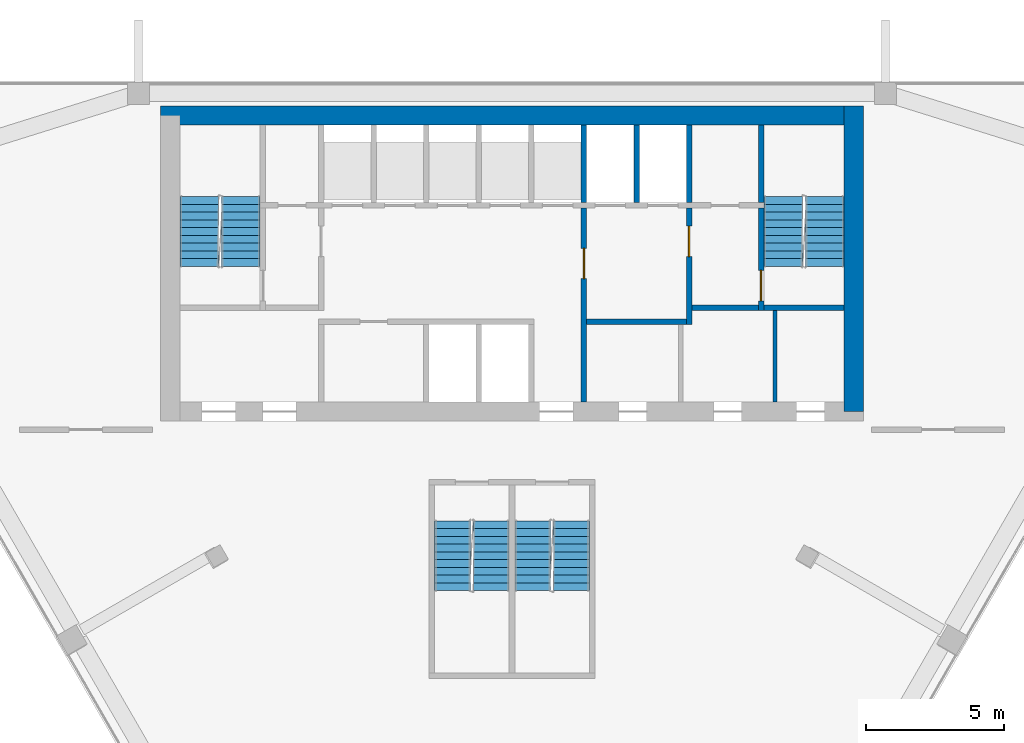
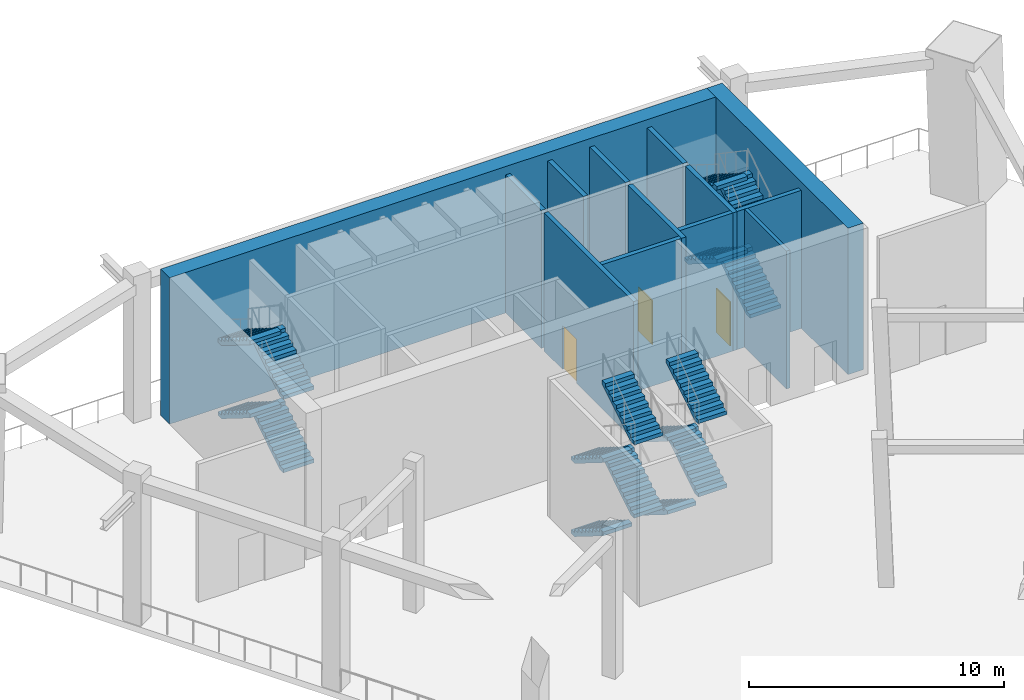
# One storey, part 3 of 6: 16 stair flights, 13 walls, 3 doors, 3 openings, 4 elements without a shape of their own.
"""IFC4 building model written with IfcOpenShell, lengths in metres."""

from ifc_helpers import new_model, si_unit, direction, frame, frame_2d, origin, place, context, subcontext, project, spatial, polyline, rectangle, outline, extrude, material, layer, layer_set, type_object, element, fill, aggregate, save


model = new_model("IFC4")

# Units and contexts
model_context = context("Model", 3, precision=1e-05, world=origin(), true_north=direction((0.0, 1.0)))
body_context = subcontext(model_context, "Body", "Model", "MODEL_VIEW")
ifc_project = project(units=[si_unit("LENGTHUNIT", "METRE"), si_unit("AREAUNIT", "SQUARE_METRE"), si_unit("VOLUMEUNIT", "CUBIC_METRE"), si_unit("PLANEANGLEUNIT", "RADIAN"), si_unit("MASSUNIT", "GRAM", prefix="KILO")], contexts=[model_context])

# Site, building, storey
site_placement = place(None, origin())
site = spatial("IfcSite", under=ifc_project, at=site_placement, CompositionType="ELEMENT")
building_placement = place(site_placement, origin())
building = spatial("IfcBuilding", under=site, at=building_placement, Name="Altiplano Prism Tower", CompositionType="ELEMENT")
storey_placement = place(building_placement, frame((0.0, 0.0, 212.39990234375)))
storey = spatial("IfcBuildingStorey", under=building, at=storey_placement, Name="L55", CompositionType="ELEMENT", Elevation=212.39990234375)

# Walls
ifc_material_1 = material(Name="Concrete C60/75", Category="concrete")
ifc_layer_1 = layer(ifc_material_1, 0.699951171875)
ifc_layer_set_1 = layer_set([ifc_layer_1], Name="Concrete C60/75")
wall_type_1 = type_object("IfcWallType", Name="Core wall 700", PredefinedType="SHEAR", material=ifc_layer_set_1)
wall_1_placement = place(storey_placement, frame((97.35009765625, 93.050048828125, 0.0), z_axis=(0.0, 0.0, 1.0), x_axis=(0.0, 1.0, 0.0)))
element("IfcWall", 1, at=wall_1_placement, inside=storey, type_object=wall_type_1, Name="Core wall E L55", PredefinedType="SHEAR", context=body_context, shape_type="SweptSolid", body=[
    extrude(rectangle(XDim=11.050048828125, YDim=0.699951171875, at=frame_2d((5.52490234375, 0.0))), origin(), (0.0, 0.0, 1.0), 7.0),
])
wall_2_placement = place(storey_placement, frame((97.35009765625, 103.75, 0.0), z_axis=(0.0, 0.0, 1.0), x_axis=(-1.0, 0.0, 0.0)))
element("IfcWall", 2, at=wall_2_placement, inside=storey, type_object=wall_type_1, Name="Core wall N L55", PredefinedType="SHEAR", context=body_context, shape_type="SweptSolid", body=[
    extrude(rectangle(XDim=25.050048828125, YDim=0.699951171875, at=frame_2d((12.52490234375, 0.0))), origin(), (0.0, 0.0, 1.0), 7.0),
])
ifc_material_2 = material(Name="Fire-rated gypsum board partition")
ifc_layer_2 = layer(ifc_material_2, 0.14990234375)
ifc_layer_set_2 = layer_set([ifc_layer_2], Name="Fire-rated gypsum board partition")
wall_type_2 = type_object("IfcWallType", Name="Room partition 150", PredefinedType="PARTITIONING", material=ifc_layer_set_2)
wall_3_placement = place(storey_placement, frame((94.5, 93.39990234375, 0.0), z_axis=(0.0, 0.0, 1.0), x_axis=(0.0, 1.0, 0.0)))
element("IfcWall", 3, at=wall_3_placement, inside=storey, type_object=wall_type_2, Name="Room partition L55", PredefinedType="PARTITIONING", context=body_context, shape_type="SweptSolid", body=[
    extrude(rectangle(XDim=3.300048828125, YDim=0.14990234375, at=frame_2d((1.64990234375, 0.0))), origin(), (0.0, 0.0, 1.0), 6.60009765625),
])
ifc_layer_3 = layer(ifc_material_1, 0.199951171875)
ifc_layer_set_3 = layer_set([ifc_layer_3], Name="Concrete C60/75")
wall_type_3 = type_object("IfcWallType", Name="Shaft wall 200", PredefinedType="SOLIDWALL", material=ifc_layer_set_3)
for number, where, z_axis, x_axis, name in (
    (4, (87.60009765625, 100.60009765625, 0.0), (0.0, 0.0, 1.0), (0.0, 1.0, 0.0), "Shaft wall L55"),
    (5, (89.5, 100.60009765625, 0.0), (0.0, 0.0, 1.0), (0.0, 1.0, 0.0), "Shaft wall L55"),
    (6, (91.39990234375, 100.60009765625, 0.0), (0.0, 0.0, 1.0), (0.0, 1.0, 0.0), "Shaft wall L55"),
):
    element("IfcWall", number, at=place(storey_placement, frame(where, z_axis=z_axis, x_axis=x_axis)), inside=storey, type_object=wall_type_3, Name=name, PredefinedType="SOLIDWALL", context=body_context, shape_type="SweptSolid", body=[
        extrude(rectangle(XDim=2.7998046875, YDim=0.199951171875, at=frame_2d((1.39990234375, 0.0))), origin(), (0.0, 0.0, 1.0), 6.60009765625),
    ])

# Wall, opening, door
ifc_layer_4 = layer(ifc_material_1, 0.199951171875)
ifc_layer_set_4 = layer_set([ifc_layer_4], Name="Concrete C60/75")
wall_type_4 = type_object("IfcWallType", Name="Stair wall 200", PredefinedType="SOLIDWALL", material=ifc_layer_set_4)
wall_4_placement = place(storey_placement, frame((94.0, 96.699951171875, 0.0), z_axis=(0.0, 0.0, 1.0), x_axis=(0.0, 1.0, 0.0)))
wall_4 = element("IfcWall", 7, at=wall_4_placement, inside=storey, type_object=wall_type_4, Name="Stair wall L55", PredefinedType="SOLIDWALL", context=body_context, shape_type="SweptSolid", body=[
    extrude(rectangle(XDim=3.699951171875, YDim=0.199951171875, at=frame_2d((1.85009765625, 0.0))), origin(), (0.0, 0.0, 1.0), 6.60009765625),
])
opening_1_placement = place(wall_4_placement, frame((0.35009765625, 0.0, 0.0)))
opening_1 = element("IfcOpeningElement", 8, at=opening_1_placement, cuts=wall_4, Name="Opening D3342", PredefinedType="OPENING", context=body_context, shape_type="SweptSolid", body=[
    extrude(rectangle(XDim=1.10009765625, YDim=2.10009765625, at=frame_2d((0.550048828125, 1.050048828125))), frame((0.0, 0.1103515625, 0.0), z_axis=(0.0, -1.0, 0.0), x_axis=(1.0, 0.0, 0.0)), (0.0, 0.0, 1.0), 0.220947265625),
])
ifc_material_3 = material(Name="Fire-rated steel door", Category="steel")
door_type_1 = type_object("IfcDoorType", Name="Stair fire door 1100 x 2100", OperationType="NOTDEFINED", PredefinedType="NOTDEFINED", material=ifc_material_3)
door_1_placement = place(opening_1_placement, origin())
door_1 = element("IfcDoor", 9, at=door_1_placement, inside=storey, type_object=door_type_1, Name="Stair fire door D3342", OperationType="SINGLE_SWING_LEFT", OverallHeight=2.10009765625, OverallWidth=1.10009765625, PredefinedType="NOTDEFINED", context=body_context, shape_type="SweptSolid", body=[
    extrude(rectangle(XDim=1.10009765625, YDim=2.10009765625, at=frame_2d((0.550048828125, 1.050048828125))), frame((0.0, 0.02490234375, 0.0), z_axis=(0.0, -1.0, 0.0), x_axis=(1.0, 0.0, 0.0)), (0.0, 0.0, 1.0), 0.050048828125),
])
fill(opening_1, door_1)

# Walls
wall_5_placement = place(storey_placement, frame((94.10009765625, 96.800048828125, 0.0), z_axis=(0.0, 0.0, 1.0), x_axis=(1.0, 0.0, 0.0)))
element("IfcWall", 10, at=wall_5_placement, inside=storey, type_object=wall_type_4, Name="Stair wall L55", PredefinedType="SOLIDWALL", context=body_context, shape_type="SweptSolid", body=[
    extrude(rectangle(XDim=2.89990234375, YDim=0.199951171875, at=frame_2d((1.449951171875, 0.0))), origin(), (0.0, 0.0, 1.0), 6.60009765625),
])
wall_6_placement = place(storey_placement, frame((94.0, 100.60009765625, 0.0), z_axis=(0.0, 0.0, 1.0), x_axis=(0.0, 1.0, 0.0)))
element("IfcWall", 11, at=wall_6_placement, inside=storey, type_object=wall_type_4, Name="Stair wall L55", PredefinedType="SOLIDWALL", context=body_context, shape_type="SweptSolid", body=[
    extrude(rectangle(XDim=2.7998046875, YDim=0.199951171875, at=frame_2d((1.39990234375, 0.0))), origin(), (0.0, 0.0, 1.0), 6.60009765625),
])

# Wall, opening, door
ifc_layer_5 = layer(ifc_material_1, 0.199951171875)
ifc_layer_set_5 = layer_set([ifc_layer_5], Name="Concrete C60/75")
wall_type_5 = type_object("IfcWallType", Name="Vestibule wall 200", PredefinedType="PARTITIONING", material=ifc_layer_set_5)
wall_7_placement = place(storey_placement, frame((87.60009765625, 93.39990234375, 0.0), z_axis=(0.0, 0.0, 1.0), x_axis=(0.0, 1.0, 0.0)))
wall_7 = element("IfcWall", 12, at=wall_7_placement, inside=storey, type_object=wall_type_5, Name="Vestibule wall L55", PredefinedType="PARTITIONING", context=body_context, shape_type="SweptSolid", body=[
    extrude(rectangle(XDim=7.0, YDim=0.199951171875, at=frame_2d((3.5, 0.0))), origin(), (0.0, 0.0, 1.0), 6.60009765625),
])
opening_2_placement = place(wall_7_placement, frame((4.449951171875, 0.0, 0.0)))
opening_2 = element("IfcOpeningElement", 13, at=opening_2_placement, cuts=wall_7, Name="Opening D3344", PredefinedType="OPENING", context=body_context, shape_type="SweptSolid", body=[
    extrude(rectangle(XDim=1.10009765625, YDim=2.10009765625, at=frame_2d((0.550048828125, 1.050048828125))), frame((0.0, 0.1103515625, 0.0), z_axis=(0.0, -1.0, 0.0), x_axis=(1.0, 0.0, 0.0)), (0.0, 0.0, 1.0), 0.220947265625),
])
door_type_2 = type_object("IfcDoorType", Name="Vestibule fire door 1100 x 2100", OperationType="NOTDEFINED", PredefinedType="NOTDEFINED", material=ifc_material_3)
door_2_placement = place(opening_2_placement, origin())
door_2 = element("IfcDoor", 14, at=door_2_placement, inside=storey, type_object=door_type_2, Name="Vestibule fire door D3344", OperationType="SINGLE_SWING_RIGHT", OverallHeight=2.10009765625, OverallWidth=1.10009765625, PredefinedType="NOTDEFINED", context=body_context, shape_type="SweptSolid", body=[
    extrude(rectangle(XDim=1.10009765625, YDim=2.10009765625, at=frame_2d((0.550048828125, 1.050048828125))), frame((0.0, 0.02490234375, 0.0), z_axis=(0.0, -1.0, 0.0), x_axis=(1.0, 0.0, 0.0)), (0.0, 0.0, 1.0), 0.050048828125),
])
fill(opening_2, door_2)

# Wall
wall_8_placement = place(storey_placement, frame((87.699951171875, 96.300048828125, 0.0), z_axis=(0.0, 0.0, 1.0), x_axis=(1.0, 0.0, 0.0)))
element("IfcWall", 15, at=wall_8_placement, inside=storey, type_object=wall_type_5, Name="Vestibule wall L55", PredefinedType="PARTITIONING", context=body_context, shape_type="SweptSolid", body=[
    extrude(rectangle(XDim=3.60009765625, YDim=0.199951171875, at=frame_2d((1.800048828125, 0.0))), origin(), (0.0, 0.0, 1.0), 6.60009765625),
])

# Wall, opening, door
wall_9_placement = place(storey_placement, frame((91.39990234375, 96.199951171875, 0.0), z_axis=(0.0, 0.0, 1.0), x_axis=(0.0, 1.0, 0.0)))
wall_9 = element("IfcWall", 16, at=wall_9_placement, inside=storey, type_object=wall_type_5, Name="Vestibule wall L55", PredefinedType="PARTITIONING", context=body_context, shape_type="SweptSolid", body=[
    extrude(rectangle(XDim=4.199951171875, YDim=0.199951171875, at=frame_2d((2.10009765625, 0.0))), origin(), (0.0, 0.0, 1.0), 6.60009765625),
])
opening_3_placement = place(wall_9_placement, frame((2.449951171875, 0.0, 0.0)))
opening_3 = element("IfcOpeningElement", 17, at=opening_3_placement, cuts=wall_9, Name="Opening D3345", PredefinedType="OPENING", context=body_context, shape_type="SweptSolid", body=[
    extrude(rectangle(XDim=1.10009765625, YDim=2.10009765625, at=frame_2d((0.550048828125, 1.050048828125))), frame((0.0, 0.1103515625, 0.0), z_axis=(0.0, -1.0, 0.0), x_axis=(1.0, 0.0, 0.0)), (0.0, 0.0, 1.0), 0.220947265625),
])
door_3_placement = place(opening_3_placement, origin())
door_3 = element("IfcDoor", 18, at=door_3_placement, inside=storey, type_object=door_type_2, Name="Vestibule fire door D3345", OperationType="SINGLE_SWING_LEFT", OverallHeight=2.10009765625, OverallWidth=1.10009765625, PredefinedType="NOTDEFINED", context=body_context, shape_type="SweptSolid", body=[
    extrude(rectangle(XDim=1.10009765625, YDim=2.10009765625, at=frame_2d((0.550048828125, 1.050048828125))), frame((0.0, 0.02490234375, 0.0), z_axis=(0.0, -1.0, 0.0), x_axis=(1.0, 0.0, 0.0)), (0.0, 0.0, 1.0), 0.050048828125),
])
fill(opening_3, door_3)

# Wall
wall_10_placement = place(storey_placement, frame((91.5, 96.800048828125, 0.0), z_axis=(0.0, 0.0, 1.0), x_axis=(1.0, 0.0, 0.0)))
element("IfcWall", 19, at=wall_10_placement, inside=storey, type_object=wall_type_5, Name="Vestibule wall L55", PredefinedType="PARTITIONING", context=body_context, shape_type="SweptSolid", body=[
    extrude(rectangle(XDim=2.39990234375, YDim=0.199951171875, at=frame_2d((1.199951171875, 0.0))), origin(), (0.0, 0.0, 1.0), 6.60009765625),
])

# Stair, stair flights
ifc_material_4 = material(Name="Concrete C40/50", Category="concrete")
stair_type_1 = type_object("IfcStairType", Name="Exit stair 1400", PredefinedType="HALF_TURN_STAIR", material=ifc_material_4)
stair_1_placement = place(storey_placement, origin())
stair_1 = element("IfcStair", 20, at=stair_1_placement, inside=storey, type_object=stair_type_1, Name="L55 Exit Stair 1", PredefinedType="HALF_TURN_STAIR")
stair_flight_type = type_object("IfcStairFlightType", Name="Stair flight concrete 150", PredefinedType="STRAIGHT", material=ifc_material_4)
stair_flight_1_placement = place(storey_placement, frame((75.199951171875, 98.300048828125, 0.0), z_axis=(0.0, 0.0, 1.0), x_axis=(0.0, 1.0, 0.0)))
stair_flight_1 = element("IfcStairFlight", 21, at=stair_flight_1_placement, type_object=stair_flight_type, Name="ST1 flight 1", NumberOfRisers=10, NumberOfTreads=9, PredefinedType="STRAIGHT", RiserHeight=0.175, TreadLength=0.28, context=body_context, shape_type="SweptSolid", body=[
    extrude(outline(polyline([(0.0, 0.0), (0.0, 0.175048828125), (0.280029296875, 0.175048828125), (0.280029296875, 0.35009765625), (0.56005859375, 0.35009765625), (0.56005859375, 0.52490234375), (0.840087890625, 0.52490234375), (0.840087890625, 0.699951171875), (1.1201171875, 0.699951171875), (1.1201171875, 0.875), (1.39990234375, 0.875), (1.39990234375, 1.050048828125), (1.679931640625, 1.050048828125), (1.679931640625, 1.22509765625), (1.9599609375, 1.22509765625), (1.9599609375, 1.39990234375), (2.239990234375, 1.39990234375), (2.239990234375, 1.574951171875), (2.52001953125, 1.574951171875), (2.52001953125, 1.75), (2.52001953125, 1.398193359375), (0.28271484375, 0.0), (0.0, 0.0)])), frame((0.0, 0.699951171875, 0.0), z_axis=(0.0, -1.0, 0.0), x_axis=(1.0, 0.0, 0.0)), (0.0, 0.0, 1.0), 1.39990234375),
])
stair_flight_2_placement = place(storey_placement, frame((73.699951171875, 100.820068359375, 1.75), z_axis=(0.0, 0.0, 1.0), x_axis=(0.0, -1.0, 0.0)))
stair_flight_2 = element("IfcStairFlight", 22, at=stair_flight_2_placement, type_object=stair_flight_type, Name="ST1 flight 2", NumberOfRisers=10, NumberOfTreads=9, PredefinedType="STRAIGHT", RiserHeight=0.175, TreadLength=0.28, context=body_context, shape_type="SweptSolid", body=[
    extrude(outline(polyline([(0.0, 0.0), (0.0, 0.175048828125), (0.280029296875, 0.175048828125), (0.280029296875, 0.35009765625), (0.56005859375, 0.35009765625), (0.56005859375, 0.52490234375), (0.840087890625, 0.52490234375), (0.840087890625, 0.699951171875), (1.1201171875, 0.699951171875), (1.1201171875, 0.875), (1.39990234375, 0.875), (1.39990234375, 1.050048828125), (1.679931640625, 1.050048828125), (1.679931640625, 1.22509765625), (1.9599609375, 1.22509765625), (1.9599609375, 1.39990234375), (2.239990234375, 1.39990234375), (2.239990234375, 1.574951171875), (2.52001953125, 1.574951171875), (2.52001953125, 1.75), (2.52001953125, 1.398193359375), (0.28271484375, 0.0), (0.0, 0.0)])), frame((0.0, 0.699951171875, 0.0), z_axis=(0.0, -1.0, 0.0), x_axis=(1.0, 0.0, 0.0)), (0.0, 0.0, 1.0), 1.39990234375),
])
stair_flight_3_placement = place(storey_placement, frame((75.199951171875, 98.300048828125, 3.5), z_axis=(0.0, 0.0, 1.0), x_axis=(0.0, 1.0, 0.0)))
stair_flight_3 = element("IfcStairFlight", 23, at=stair_flight_3_placement, type_object=stair_flight_type, Name="ST1 flight 3", NumberOfRisers=10, NumberOfTreads=9, PredefinedType="STRAIGHT", RiserHeight=0.175, TreadLength=0.28, context=body_context, shape_type="SweptSolid", body=[
    extrude(outline(polyline([(0.0, 0.0), (0.0, 0.175048828125), (0.280029296875, 0.175048828125), (0.280029296875, 0.35009765625), (0.56005859375, 0.35009765625), (0.56005859375, 0.52490234375), (0.840087890625, 0.52490234375), (0.840087890625, 0.699951171875), (1.1201171875, 0.699951171875), (1.1201171875, 0.875), (1.39990234375, 0.875), (1.39990234375, 1.050048828125), (1.679931640625, 1.050048828125), (1.679931640625, 1.22509765625), (1.9599609375, 1.22509765625), (1.9599609375, 1.39990234375), (2.239990234375, 1.39990234375), (2.239990234375, 1.574951171875), (2.52001953125, 1.574951171875), (2.52001953125, 1.75), (2.52001953125, 1.398193359375), (0.28271484375, 0.0), (0.0, 0.0)])), frame((0.0, 0.699951171875, 0.0), z_axis=(0.0, -1.0, 0.0), x_axis=(1.0, 0.0, 0.0)), (0.0, 0.0, 1.0), 1.39990234375),
])
stair_flight_4_placement = place(storey_placement, frame((73.699951171875, 100.820068359375, 5.25), z_axis=(0.0, 0.0, 1.0), x_axis=(0.0, -1.0, 0.0)))
stair_flight_4 = element("IfcStairFlight", 24, at=stair_flight_4_placement, type_object=stair_flight_type, Name="ST1 flight 4", NumberOfRisers=10, NumberOfTreads=9, PredefinedType="STRAIGHT", RiserHeight=0.175, TreadLength=0.28, context=body_context, shape_type="SweptSolid", body=[
    extrude(outline(polyline([(0.0, 0.0), (0.0, 0.175048828125), (0.280029296875, 0.175048828125), (0.280029296875, 0.35009765625), (0.56005859375, 0.35009765625), (0.56005859375, 0.52490234375), (0.840087890625, 0.52490234375), (0.840087890625, 0.699951171875), (1.1201171875, 0.699951171875), (1.1201171875, 0.875), (1.39990234375, 0.875), (1.39990234375, 1.050048828125), (1.679931640625, 1.050048828125), (1.679931640625, 1.22509765625), (1.9599609375, 1.22509765625), (1.9599609375, 1.39990234375), (2.239990234375, 1.39990234375), (2.239990234375, 1.574951171875), (2.52001953125, 1.574951171875), (2.52001953125, 1.75), (2.52001953125, 1.398193359375), (0.28271484375, 0.0), (0.0, 0.0)])), frame((0.0, 0.699951171875, 0.0), z_axis=(0.0, -1.0, 0.0), x_axis=(1.0, 0.0, 0.0)), (0.0, 0.0, 1.0), 1.39990234375),
])
aggregate(stair_1, [stair_flight_1, stair_flight_2, stair_flight_3, stair_flight_4])

stair_2_placement = place(storey_placement, origin())
stair_2 = element("IfcStair", 25, at=stair_2_placement, inside=storey, type_object=stair_type_1, Name="L55 Exit Stair 2", PredefinedType="HALF_TURN_STAIR")
stair_flight_5_placement = place(storey_placement, frame((96.300048828125, 98.300048828125, 0.0), z_axis=(0.0, 0.0, 1.0), x_axis=(0.0, 1.0, 0.0)))
stair_flight_5 = element("IfcStairFlight", 26, at=stair_flight_5_placement, type_object=stair_flight_type, Name="ST2 flight 1", NumberOfRisers=10, NumberOfTreads=9, PredefinedType="STRAIGHT", RiserHeight=0.175, TreadLength=0.28, context=body_context, shape_type="SweptSolid", body=[
    extrude(outline(polyline([(0.0, 0.0), (0.0, 0.175048828125), (0.280029296875, 0.175048828125), (0.280029296875, 0.35009765625), (0.56005859375, 0.35009765625), (0.56005859375, 0.52490234375), (0.840087890625, 0.52490234375), (0.840087890625, 0.699951171875), (1.1201171875, 0.699951171875), (1.1201171875, 0.875), (1.39990234375, 0.875), (1.39990234375, 1.050048828125), (1.679931640625, 1.050048828125), (1.679931640625, 1.22509765625), (1.9599609375, 1.22509765625), (1.9599609375, 1.39990234375), (2.239990234375, 1.39990234375), (2.239990234375, 1.574951171875), (2.52001953125, 1.574951171875), (2.52001953125, 1.75), (2.52001953125, 1.398193359375), (0.28271484375, 0.0), (0.0, 0.0)])), frame((0.0, 0.699951171875, 0.0), z_axis=(0.0, -1.0, 0.0), x_axis=(1.0, 0.0, 0.0)), (0.0, 0.0, 1.0), 1.39990234375),
])
stair_flight_6_placement = place(storey_placement, frame((94.800048828125, 100.820068359375, 1.75), z_axis=(0.0, 0.0, 1.0), x_axis=(0.0, -1.0, 0.0)))
stair_flight_6 = element("IfcStairFlight", 27, at=stair_flight_6_placement, type_object=stair_flight_type, Name="ST2 flight 2", NumberOfRisers=10, NumberOfTreads=9, PredefinedType="STRAIGHT", RiserHeight=0.175, TreadLength=0.28, context=body_context, shape_type="SweptSolid", body=[
    extrude(outline(polyline([(0.0, 0.0), (0.0, 0.175048828125), (0.280029296875, 0.175048828125), (0.280029296875, 0.35009765625), (0.56005859375, 0.35009765625), (0.56005859375, 0.52490234375), (0.840087890625, 0.52490234375), (0.840087890625, 0.699951171875), (1.1201171875, 0.699951171875), (1.1201171875, 0.875), (1.39990234375, 0.875), (1.39990234375, 1.050048828125), (1.679931640625, 1.050048828125), (1.679931640625, 1.22509765625), (1.9599609375, 1.22509765625), (1.9599609375, 1.39990234375), (2.239990234375, 1.39990234375), (2.239990234375, 1.574951171875), (2.52001953125, 1.574951171875), (2.52001953125, 1.75), (2.52001953125, 1.398193359375), (0.28271484375, 0.0), (0.0, 0.0)])), frame((0.0, 0.699951171875, 0.0), z_axis=(0.0, -1.0, 0.0), x_axis=(1.0, 0.0, 0.0)), (0.0, 0.0, 1.0), 1.39990234375),
])
stair_flight_7_placement = place(storey_placement, frame((96.300048828125, 98.300048828125, 3.5), z_axis=(0.0, 0.0, 1.0), x_axis=(0.0, 1.0, 0.0)))
stair_flight_7 = element("IfcStairFlight", 28, at=stair_flight_7_placement, type_object=stair_flight_type, Name="ST2 flight 3", NumberOfRisers=10, NumberOfTreads=9, PredefinedType="STRAIGHT", RiserHeight=0.175, TreadLength=0.28, context=body_context, shape_type="SweptSolid", body=[
    extrude(outline(polyline([(0.0, 0.0), (0.0, 0.175048828125), (0.280029296875, 0.175048828125), (0.280029296875, 0.35009765625), (0.56005859375, 0.35009765625), (0.56005859375, 0.52490234375), (0.840087890625, 0.52490234375), (0.840087890625, 0.699951171875), (1.1201171875, 0.699951171875), (1.1201171875, 0.875), (1.39990234375, 0.875), (1.39990234375, 1.050048828125), (1.679931640625, 1.050048828125), (1.679931640625, 1.22509765625), (1.9599609375, 1.22509765625), (1.9599609375, 1.39990234375), (2.239990234375, 1.39990234375), (2.239990234375, 1.574951171875), (2.52001953125, 1.574951171875), (2.52001953125, 1.75), (2.52001953125, 1.398193359375), (0.28271484375, 0.0), (0.0, 0.0)])), frame((0.0, 0.699951171875, 0.0), z_axis=(0.0, -1.0, 0.0), x_axis=(1.0, 0.0, 0.0)), (0.0, 0.0, 1.0), 1.39990234375),
])
stair_flight_8_placement = place(storey_placement, frame((94.800048828125, 100.820068359375, 5.25), z_axis=(0.0, 0.0, 1.0), x_axis=(0.0, -1.0, 0.0)))
stair_flight_8 = element("IfcStairFlight", 29, at=stair_flight_8_placement, type_object=stair_flight_type, Name="ST2 flight 4", NumberOfRisers=10, NumberOfTreads=9, PredefinedType="STRAIGHT", RiserHeight=0.175, TreadLength=0.28, context=body_context, shape_type="SweptSolid", body=[
    extrude(outline(polyline([(0.0, 0.0), (0.0, 0.175048828125), (0.280029296875, 0.175048828125), (0.280029296875, 0.35009765625), (0.56005859375, 0.35009765625), (0.56005859375, 0.52490234375), (0.840087890625, 0.52490234375), (0.840087890625, 0.699951171875), (1.1201171875, 0.699951171875), (1.1201171875, 0.875), (1.39990234375, 0.875), (1.39990234375, 1.050048828125), (1.679931640625, 1.050048828125), (1.679931640625, 1.22509765625), (1.9599609375, 1.22509765625), (1.9599609375, 1.39990234375), (2.239990234375, 1.39990234375), (2.239990234375, 1.574951171875), (2.52001953125, 1.574951171875), (2.52001953125, 1.75), (2.52001953125, 1.398193359375), (0.28271484375, 0.0), (0.0, 0.0)])), frame((0.0, 0.699951171875, 0.0), z_axis=(0.0, -1.0, 0.0), x_axis=(1.0, 0.0, 0.0)), (0.0, 0.0, 1.0), 1.39990234375),
])
aggregate(stair_2, [stair_flight_5, stair_flight_6, stair_flight_7, stair_flight_8])

stair_type_2 = type_object("IfcStairType", Name="Exit stair 1300", PredefinedType="HALF_TURN_STAIR", material=ifc_material_4)
stair_3_placement = place(storey_placement, origin())
stair_3 = element("IfcStair", 30, at=stair_3_placement, inside=storey, type_object=stair_type_2, Name="L55 Exit Stair 3A", PredefinedType="HALF_TURN_STAIR")
stair_flight_9_placement = place(storey_placement, frame((82.85009765625, 89.10009765625, 0.0), z_axis=(0.0, 0.0, 1.0), x_axis=(0.0, -1.0, 0.0)))
stair_flight_9 = element("IfcStairFlight", 31, at=stair_flight_9_placement, type_object=stair_flight_type, Name="ST3A flight 1", NumberOfRisers=10, NumberOfTreads=9, PredefinedType="STRAIGHT", RiserHeight=0.175, TreadLength=0.28, context=body_context, shape_type="SweptSolid", body=[
    extrude(outline(polyline([(0.0, 0.0), (0.0, 0.175048828125), (0.280029296875, 0.175048828125), (0.280029296875, 0.35009765625), (0.56005859375, 0.35009765625), (0.56005859375, 0.52490234375), (0.840087890625, 0.52490234375), (0.840087890625, 0.699951171875), (1.1201171875, 0.699951171875), (1.1201171875, 0.875), (1.39990234375, 0.875), (1.39990234375, 1.050048828125), (1.679931640625, 1.050048828125), (1.679931640625, 1.22509765625), (1.9599609375, 1.22509765625), (1.9599609375, 1.39990234375), (2.239990234375, 1.39990234375), (2.239990234375, 1.574951171875), (2.52001953125, 1.574951171875), (2.52001953125, 1.75), (2.52001953125, 1.398193359375), (0.28271484375, 0.0), (0.0, 0.0)])), frame((0.0, 0.64990234375, 0.0), z_axis=(0.0, -1.0, 0.0), x_axis=(1.0, 0.0, 0.0)), (0.0, 0.0, 1.0), 1.300048828125),
])
stair_flight_10_placement = place(storey_placement, frame((84.25, 86.580078125, 1.75), z_axis=(0.0, 0.0, 1.0), x_axis=(0.0, 1.0, 0.0)))
stair_flight_10 = element("IfcStairFlight", 32, at=stair_flight_10_placement, type_object=stair_flight_type, Name="ST3A flight 2", NumberOfRisers=10, NumberOfTreads=9, PredefinedType="STRAIGHT", RiserHeight=0.175, TreadLength=0.28, context=body_context, shape_type="SweptSolid", body=[
    extrude(outline(polyline([(0.0, 0.0), (0.0, 0.175048828125), (0.280029296875, 0.175048828125), (0.280029296875, 0.35009765625), (0.56005859375, 0.35009765625), (0.56005859375, 0.52490234375), (0.840087890625, 0.52490234375), (0.840087890625, 0.699951171875), (1.1201171875, 0.699951171875), (1.1201171875, 0.875), (1.39990234375, 0.875), (1.39990234375, 1.050048828125), (1.679931640625, 1.050048828125), (1.679931640625, 1.22509765625), (1.9599609375, 1.22509765625), (1.9599609375, 1.39990234375), (2.239990234375, 1.39990234375), (2.239990234375, 1.574951171875), (2.52001953125, 1.574951171875), (2.52001953125, 1.75), (2.52001953125, 1.398193359375), (0.28271484375, 0.0), (0.0, 0.0)])), frame((0.0, 0.64990234375, 0.0), z_axis=(0.0, -1.0, 0.0), x_axis=(1.0, 0.0, 0.0)), (0.0, 0.0, 1.0), 1.300048828125),
])
stair_flight_11_placement = place(storey_placement, frame((82.85009765625, 89.10009765625, 3.5), z_axis=(0.0, 0.0, 1.0), x_axis=(0.0, -1.0, 0.0)))
stair_flight_11 = element("IfcStairFlight", 33, at=stair_flight_11_placement, type_object=stair_flight_type, Name="ST3A flight 3", NumberOfRisers=10, NumberOfTreads=9, PredefinedType="STRAIGHT", RiserHeight=0.175, TreadLength=0.28, context=body_context, shape_type="SweptSolid", body=[
    extrude(outline(polyline([(0.0, 0.0), (0.0, 0.175048828125), (0.280029296875, 0.175048828125), (0.280029296875, 0.35009765625), (0.56005859375, 0.35009765625), (0.56005859375, 0.52490234375), (0.840087890625, 0.52490234375), (0.840087890625, 0.699951171875), (1.1201171875, 0.699951171875), (1.1201171875, 0.875), (1.39990234375, 0.875), (1.39990234375, 1.050048828125), (1.679931640625, 1.050048828125), (1.679931640625, 1.22509765625), (1.9599609375, 1.22509765625), (1.9599609375, 1.39990234375), (2.239990234375, 1.39990234375), (2.239990234375, 1.574951171875), (2.52001953125, 1.574951171875), (2.52001953125, 1.75), (2.52001953125, 1.398193359375), (0.28271484375, 0.0), (0.0, 0.0)])), frame((0.0, 0.64990234375, 0.0), z_axis=(0.0, -1.0, 0.0), x_axis=(1.0, 0.0, 0.0)), (0.0, 0.0, 1.0), 1.300048828125),
])
stair_flight_12_placement = place(storey_placement, frame((84.25, 86.580078125, 5.25), z_axis=(0.0, 0.0, 1.0), x_axis=(0.0, 1.0, 0.0)))
stair_flight_12 = element("IfcStairFlight", 34, at=stair_flight_12_placement, type_object=stair_flight_type, Name="ST3A flight 4", NumberOfRisers=10, NumberOfTreads=9, PredefinedType="STRAIGHT", RiserHeight=0.175, TreadLength=0.28, context=body_context, shape_type="SweptSolid", body=[
    extrude(outline(polyline([(0.0, 0.0), (0.0, 0.175048828125), (0.280029296875, 0.175048828125), (0.280029296875, 0.35009765625), (0.56005859375, 0.35009765625), (0.56005859375, 0.52490234375), (0.840087890625, 0.52490234375), (0.840087890625, 0.699951171875), (1.1201171875, 0.699951171875), (1.1201171875, 0.875), (1.39990234375, 0.875), (1.39990234375, 1.050048828125), (1.679931640625, 1.050048828125), (1.679931640625, 1.22509765625), (1.9599609375, 1.22509765625), (1.9599609375, 1.39990234375), (2.239990234375, 1.39990234375), (2.239990234375, 1.574951171875), (2.52001953125, 1.574951171875), (2.52001953125, 1.75), (2.52001953125, 1.398193359375), (0.28271484375, 0.0), (0.0, 0.0)])), frame((0.0, 0.64990234375, 0.0), z_axis=(0.0, -1.0, 0.0), x_axis=(1.0, 0.0, 0.0)), (0.0, 0.0, 1.0), 1.300048828125),
])
aggregate(stair_3, [stair_flight_9, stair_flight_10, stair_flight_11, stair_flight_12])

stair_4_placement = place(storey_placement, origin())
stair_4 = element("IfcStair", 35, at=stair_4_placement, inside=storey, type_object=stair_type_2, Name="L55 Exit Stair 3B", PredefinedType="HALF_TURN_STAIR")
stair_flight_13_placement = place(storey_placement, frame((85.75, 89.10009765625, 0.0), z_axis=(0.0, 0.0, 1.0), x_axis=(0.0, -1.0, 0.0)))
stair_flight_13 = element("IfcStairFlight", 36, at=stair_flight_13_placement, type_object=stair_flight_type, Name="ST3B flight 1", NumberOfRisers=10, NumberOfTreads=9, PredefinedType="STRAIGHT", RiserHeight=0.175, TreadLength=0.28, context=body_context, shape_type="SweptSolid", body=[
    extrude(outline(polyline([(0.0, 0.0), (0.0, 0.175048828125), (0.280029296875, 0.175048828125), (0.280029296875, 0.35009765625), (0.56005859375, 0.35009765625), (0.56005859375, 0.52490234375), (0.840087890625, 0.52490234375), (0.840087890625, 0.699951171875), (1.1201171875, 0.699951171875), (1.1201171875, 0.875), (1.39990234375, 0.875), (1.39990234375, 1.050048828125), (1.679931640625, 1.050048828125), (1.679931640625, 1.22509765625), (1.9599609375, 1.22509765625), (1.9599609375, 1.39990234375), (2.239990234375, 1.39990234375), (2.239990234375, 1.574951171875), (2.52001953125, 1.574951171875), (2.52001953125, 1.75), (2.52001953125, 1.398193359375), (0.28271484375, 0.0), (0.0, 0.0)])), frame((0.0, 0.64990234375, 0.0), z_axis=(0.0, -1.0, 0.0), x_axis=(1.0, 0.0, 0.0)), (0.0, 0.0, 1.0), 1.300048828125),
])
stair_flight_14_placement = place(storey_placement, frame((87.14990234375, 86.580078125, 1.75), z_axis=(0.0, 0.0, 1.0), x_axis=(0.0, 1.0, 0.0)))
stair_flight_14 = element("IfcStairFlight", 37, at=stair_flight_14_placement, type_object=stair_flight_type, Name="ST3B flight 2", NumberOfRisers=10, NumberOfTreads=9, PredefinedType="STRAIGHT", RiserHeight=0.175, TreadLength=0.28, context=body_context, shape_type="SweptSolid", body=[
    extrude(outline(polyline([(0.0, 0.0), (0.0, 0.175048828125), (0.280029296875, 0.175048828125), (0.280029296875, 0.35009765625), (0.56005859375, 0.35009765625), (0.56005859375, 0.52490234375), (0.840087890625, 0.52490234375), (0.840087890625, 0.699951171875), (1.1201171875, 0.699951171875), (1.1201171875, 0.875), (1.39990234375, 0.875), (1.39990234375, 1.050048828125), (1.679931640625, 1.050048828125), (1.679931640625, 1.22509765625), (1.9599609375, 1.22509765625), (1.9599609375, 1.39990234375), (2.239990234375, 1.39990234375), (2.239990234375, 1.574951171875), (2.52001953125, 1.574951171875), (2.52001953125, 1.75), (2.52001953125, 1.398193359375), (0.28271484375, 0.0), (0.0, 0.0)])), frame((0.0, 0.64990234375, 0.0), z_axis=(0.0, -1.0, 0.0), x_axis=(1.0, 0.0, 0.0)), (0.0, 0.0, 1.0), 1.300048828125),
])
stair_flight_15_placement = place(storey_placement, frame((85.75, 89.10009765625, 3.5), z_axis=(0.0, 0.0, 1.0), x_axis=(0.0, -1.0, 0.0)))
stair_flight_15 = element("IfcStairFlight", 38, at=stair_flight_15_placement, type_object=stair_flight_type, Name="ST3B flight 3", NumberOfRisers=10, NumberOfTreads=9, PredefinedType="STRAIGHT", RiserHeight=0.175, TreadLength=0.28, context=body_context, shape_type="SweptSolid", body=[
    extrude(outline(polyline([(0.0, 0.0), (0.0, 0.175048828125), (0.280029296875, 0.175048828125), (0.280029296875, 0.35009765625), (0.56005859375, 0.35009765625), (0.56005859375, 0.52490234375), (0.840087890625, 0.52490234375), (0.840087890625, 0.699951171875), (1.1201171875, 0.699951171875), (1.1201171875, 0.875), (1.39990234375, 0.875), (1.39990234375, 1.050048828125), (1.679931640625, 1.050048828125), (1.679931640625, 1.22509765625), (1.9599609375, 1.22509765625), (1.9599609375, 1.39990234375), (2.239990234375, 1.39990234375), (2.239990234375, 1.574951171875), (2.52001953125, 1.574951171875), (2.52001953125, 1.75), (2.52001953125, 1.398193359375), (0.28271484375, 0.0), (0.0, 0.0)])), frame((0.0, 0.64990234375, 0.0), z_axis=(0.0, -1.0, 0.0), x_axis=(1.0, 0.0, 0.0)), (0.0, 0.0, 1.0), 1.300048828125),
])
stair_flight_16_placement = place(storey_placement, frame((87.14990234375, 86.580078125, 5.25), z_axis=(0.0, 0.0, 1.0), x_axis=(0.0, 1.0, 0.0)))
stair_flight_16 = element("IfcStairFlight", 39, at=stair_flight_16_placement, type_object=stair_flight_type, Name="ST3B flight 4", NumberOfRisers=10, NumberOfTreads=9, PredefinedType="STRAIGHT", RiserHeight=0.175, TreadLength=0.28, context=body_context, shape_type="SweptSolid", body=[
    extrude(outline(polyline([(0.0, 0.0), (0.0, 0.175048828125), (0.280029296875, 0.175048828125), (0.280029296875, 0.35009765625), (0.56005859375, 0.35009765625), (0.56005859375, 0.52490234375), (0.840087890625, 0.52490234375), (0.840087890625, 0.699951171875), (1.1201171875, 0.699951171875), (1.1201171875, 0.875), (1.39990234375, 0.875), (1.39990234375, 1.050048828125), (1.679931640625, 1.050048828125), (1.679931640625, 1.22509765625), (1.9599609375, 1.22509765625), (1.9599609375, 1.39990234375), (2.239990234375, 1.39990234375), (2.239990234375, 1.574951171875), (2.52001953125, 1.574951171875), (2.52001953125, 1.75), (2.52001953125, 1.398193359375), (0.28271484375, 0.0), (0.0, 0.0)])), frame((0.0, 0.64990234375, 0.0), z_axis=(0.0, -1.0, 0.0), x_axis=(1.0, 0.0, 0.0)), (0.0, 0.0, 1.0), 1.300048828125),
])
aggregate(stair_4, [stair_flight_13, stair_flight_14, stair_flight_15, stair_flight_16])

save(model, "model.ifc")
